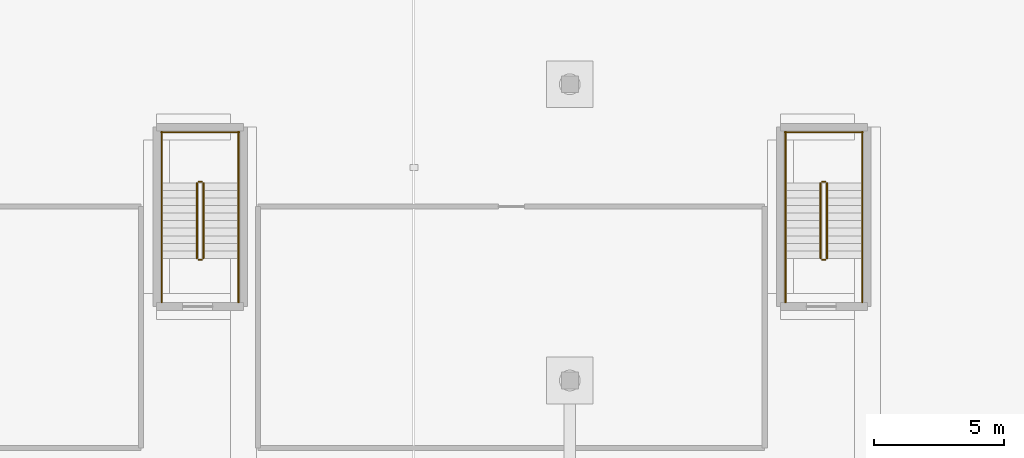
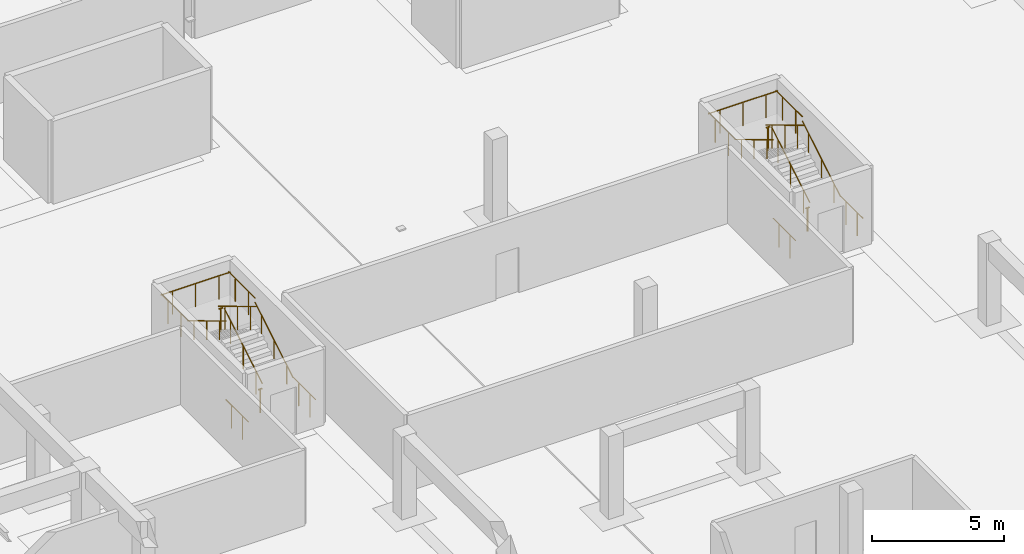
# One storey, part 34 of 35: 22 railings.
"""IFC4 building model written with IfcOpenShell, lengths in metres."""

from ifc_helpers import new_model, si_unit, direction, frame, origin, origin_2d, place, context, subcontext, project, spatial, circle, extrude, material, type_object, element, save


model = new_model("IFC4")

# Units and contexts
model_context = context("Model", 3, precision=1e-05, world=origin(), true_north=direction((0.0, 1.0)))
body_context = subcontext(model_context, "Body", "Model", "MODEL_VIEW")
ifc_project = project(units=[si_unit("LENGTHUNIT", "METRE"), si_unit("AREAUNIT", "SQUARE_METRE"), si_unit("VOLUMEUNIT", "CUBIC_METRE"), si_unit("PLANEANGLEUNIT", "RADIAN"), si_unit("MASSUNIT", "GRAM", prefix="KILO")], contexts=[model_context])

# Site, building, storey
site_placement = place(None, origin())
site = spatial("IfcSite", under=ifc_project, at=site_placement, CompositionType="ELEMENT")
building_placement = place(site_placement, origin())
building = spatial("IfcBuilding", under=site, at=building_placement, Name="Keldmere Railside Commons", CompositionType="ELEMENT")
storey_placement = place(building_placement, frame((0.0, 0.0, -3.840087890625)))
storey = spatial("IfcBuildingStorey", under=building, at=storey_placement, Name="B1", CompositionType="ELEMENT", Elevation=-3.840087890625)

# Railings
ifc_material = material(Name="Steel F-24 (S235)", Category="steel")
railing_type_1 = type_object("IfcRailingType", Name="Stair Well Steel Guardrail 1100", PredefinedType="BALUSTRADE", material=ifc_material)
railing_1_placement = place(storey_placement, frame((129.89990234375, 84.5, 0.174560546875)))
element("IfcRailing", 1, at=railing_1_placement, inside=storey, type_object=railing_type_1, Name="B1 ST-B5 stair guard 1", PredefinedType="BALUSTRADE", context=body_context, shape_type="SweptSolid", body=[
    extrude(circle(Radius=0.02392578125, at=origin_2d()), frame((0.0, 0.0, 1.076171875), z_axis=(0.0, 0.856753776629, 0.515725669549), x_axis=(-1.0, 0.0, 0.0)), (0.0, 0.0, 1.0), 3.384765625),
    extrude(circle(Radius=0.02099609375, at=origin_2d()), frame((0.0, 0.4833984375, 0.291015625)), (0.0, 0.0, 1.0), 1.048095703125),
    extrude(circle(Radius=0.02099609375, at=origin_2d()), frame((0.0, 1.449951171875, 0.872802734375)), (0.0, 0.0, 1.0), 1.048095703125),
    extrude(circle(Radius=0.02099609375, at=origin_2d()), frame((0.0, 2.41650390625, 1.45458984375)), (0.0, 0.0, 1.0), 1.048095703125),
])
railing_2_placement = place(storey_placement, frame((129.85009765625, 87.449951171875, 1.920166015625)))
element("IfcRailing", 2, at=railing_2_placement, inside=storey, type_object=railing_type_1, Name="B1 ST-B5 stair guard 2", PredefinedType="BALUSTRADE", context=body_context, shape_type="SweptSolid", body=[
    extrude(circle(Radius=0.02392578125, at=origin_2d()), frame((0.0, 0.0, 1.076171875), z_axis=(-1.0, 0.0, 0.0), x_axis=(0.0, -1.0, 0.0)), (0.0, 0.0, 1.0), 0.150146484375),
    extrude(circle(Radius=0.02099609375, at=origin_2d()), frame((-0.0751953125, 0.0, 0.0)), (0.0, 0.0, 1.0), 1.048095703125),
])
for number, where, name in (
    (3, (131.25, 87.39990234375, 1.920166015625), "B1 ST-B5 stair guard 3"),
    (4, (128.300048828125, 87.39990234375, 1.920166015625), "B1 ST-B5 stair guard 4"),
):
    element("IfcRailing", number, at=place(storey_placement, frame(where)), inside=storey, type_object=railing_type_1, Name=name, PredefinedType="BALUSTRADE", context=body_context, shape_type="SweptSolid", body=[
        extrude(circle(Radius=0.02392578125, at=origin_2d()), frame((0.0, 0.0, 1.076171875), z_axis=(0.0, 1.0, 0.0), x_axis=(-1.0, 0.0, 0.0)), (0.0, 0.0, 1.0), 2.0),
        extrude(circle(Radius=0.02099609375, at=origin_2d()), frame((0.0, 0.5, 0.0)), (0.0, 0.0, 1.0), 1.048095703125),
        extrude(circle(Radius=0.02099609375, at=origin_2d()), frame((0.0, 1.5, 0.0)), (0.0, 0.0, 1.0), 1.048095703125),
    ])
railing_3_placement = place(storey_placement, frame((131.300048828125, 89.35009765625, 1.920166015625)))
element("IfcRailing", 5, at=railing_3_placement, inside=storey, type_object=railing_type_1, Name="B1 ST-B5 stair guard 5", PredefinedType="BALUSTRADE", context=body_context, shape_type="SweptSolid", body=[
    extrude(circle(Radius=0.02392578125, at=origin_2d()), frame((0.0, 0.0, 1.076171875), z_axis=(-1.0, 0.0, 0.0), x_axis=(0.0, -1.0, 0.0)), (0.0, 0.0, 1.0), 3.050048828125),
    extrude(circle(Radius=0.02099609375, at=origin_2d()), frame((-0.50830078125, 0.0, 0.0)), (0.0, 0.0, 1.0), 1.048095703125),
    extrude(circle(Radius=0.02099609375, at=origin_2d()), frame((-1.52490234375, 0.0, 0.0)), (0.0, 0.0, 1.0), 1.048095703125),
    extrude(circle(Radius=0.02099609375, at=origin_2d()), frame((-2.541748046875, 0.0, 0.0)), (0.0, 0.0, 1.0), 1.048095703125),
])
railing_4_placement = place(storey_placement, frame((129.64990234375, 87.39990234375, 2.0947265625)))
element("IfcRailing", 6, at=railing_4_placement, inside=storey, type_object=railing_type_1, Name="B1 ST-B5 stair guard 6", PredefinedType="BALUSTRADE", context=body_context, shape_type="SweptSolid", body=[
    extrude(circle(Radius=0.02392578125, at=origin_2d()), frame((0.0, 0.0, 1.076171875), z_axis=(0.0, -0.856785646576, 0.515672721618), x_axis=(1.0, 0.0, 0.0)), (0.0, 0.0, 1.0), 3.384521484375),
    extrude(circle(Radius=0.02099609375, at=origin_2d()), frame((0.0, -0.4833984375, 0.291015625)), (0.0, 0.0, 1.0), 1.048095703125),
    extrude(circle(Radius=0.02099609375, at=origin_2d()), frame((0.0, -1.449951171875, 0.87255859375)), (0.0, 0.0, 1.0), 1.048095703125),
    extrude(circle(Radius=0.02099609375, at=origin_2d()), frame((0.0, -2.41650390625, 1.45458984375)), (0.0, 0.0, 1.0), 1.048095703125),
])
railing_5_placement = place(storey_placement, frame((129.85009765625, 84.449951171875, 0.0)))
element("IfcRailing", 7, at=railing_5_placement, inside=storey, type_object=railing_type_1, Name="B1 ST-B5 stair guard 7", PredefinedType="BALUSTRADE", context=body_context, shape_type="SweptSolid", body=[
    extrude(circle(Radius=0.02392578125, at=origin_2d()), frame((0.0, 0.0, 1.076171875), z_axis=(-1.0, 0.0, 0.0), x_axis=(0.0, -1.0, 0.0)), (0.0, 0.0, 1.0), 0.150146484375),
    extrude(circle(Radius=0.02099609375, at=origin_2d()), frame((-0.0751953125, 0.0, 0.0)), (0.0, 0.0, 1.0), 1.048095703125),
])
for number, where, name in (
    (8, (131.25, 82.800048828125, 0.0), "B1 ST-B5 stair guard 8"),
    (9, (128.300048828125, 82.800048828125, 0.0), "B1 ST-B5 stair guard 9"),
):
    element("IfcRailing", number, at=place(storey_placement, frame(where)), inside=storey, type_object=railing_type_1, Name=name, PredefinedType="BALUSTRADE", context=body_context, shape_type="SweptSolid", body=[
        extrude(circle(Radius=0.02392578125, at=origin_2d()), frame((0.0, 0.0, 1.076171875), z_axis=(0.0, 1.0, 0.0), x_axis=(-1.0, 0.0, 0.0)), (0.0, 0.0, 1.0), 1.699951171875),
        extrude(circle(Radius=0.02099609375, at=origin_2d()), frame((0.0, 0.425048828125, 0.0)), (0.0, 0.0, 1.0), 1.048095703125),
        extrude(circle(Radius=0.02099609375, at=origin_2d()), frame((0.0, 1.27490234375, 0.0)), (0.0, 0.0, 1.0), 1.048095703125),
    ])
railing_6_placement = place(storey_placement, frame((153.89990234375, 84.5, 0.174560546875)))
element("IfcRailing", 10, at=railing_6_placement, inside=storey, type_object=railing_type_1, Name="B1 ST-B6 stair guard 1", PredefinedType="BALUSTRADE", context=body_context, shape_type="SweptSolid", body=[
    extrude(circle(Radius=0.02392578125, at=origin_2d()), frame((0.0, 0.0, 1.076171875), z_axis=(0.0, 0.856753776629, 0.515725669549), x_axis=(-1.0, 0.0, 0.0)), (0.0, 0.0, 1.0), 3.384765625),
    extrude(circle(Radius=0.02099609375, at=origin_2d()), frame((0.0, 0.4833984375, 0.291015625)), (0.0, 0.0, 1.0), 1.048095703125),
    extrude(circle(Radius=0.02099609375, at=origin_2d()), frame((0.0, 1.449951171875, 0.872802734375)), (0.0, 0.0, 1.0), 1.048095703125),
    extrude(circle(Radius=0.02099609375, at=origin_2d()), frame((0.0, 2.41650390625, 1.45458984375)), (0.0, 0.0, 1.0), 1.048095703125),
])
railing_7_placement = place(storey_placement, frame((153.85009765625, 87.449951171875, 1.920166015625)))
element("IfcRailing", 11, at=railing_7_placement, inside=storey, type_object=railing_type_1, Name="B1 ST-B6 stair guard 2", PredefinedType="BALUSTRADE", context=body_context, shape_type="SweptSolid", body=[
    extrude(circle(Radius=0.02392578125, at=origin_2d()), frame((0.0, 0.0, 1.076171875), z_axis=(-1.0, 0.0, 0.0), x_axis=(0.0, -1.0, 0.0)), (0.0, 0.0, 1.0), 0.150146484375),
    extrude(circle(Radius=0.02099609375, at=origin_2d()), frame((-0.0751953125, 0.0, 0.0)), (0.0, 0.0, 1.0), 1.048095703125),
])
for number, where, name in (
    (12, (155.25, 87.39990234375, 1.920166015625), "B1 ST-B6 stair guard 3"),
    (13, (152.300048828125, 87.39990234375, 1.920166015625), "B1 ST-B6 stair guard 4"),
):
    element("IfcRailing", number, at=place(storey_placement, frame(where)), inside=storey, type_object=railing_type_1, Name=name, PredefinedType="BALUSTRADE", context=body_context, shape_type="SweptSolid", body=[
        extrude(circle(Radius=0.02392578125, at=origin_2d()), frame((0.0, 0.0, 1.076171875), z_axis=(0.0, 1.0, 0.0), x_axis=(-1.0, 0.0, 0.0)), (0.0, 0.0, 1.0), 2.0),
        extrude(circle(Radius=0.02099609375, at=origin_2d()), frame((0.0, 0.5, 0.0)), (0.0, 0.0, 1.0), 1.048095703125),
        extrude(circle(Radius=0.02099609375, at=origin_2d()), frame((0.0, 1.5, 0.0)), (0.0, 0.0, 1.0), 1.048095703125),
    ])
railing_8_placement = place(storey_placement, frame((155.300048828125, 89.35009765625, 1.920166015625)))
element("IfcRailing", 14, at=railing_8_placement, inside=storey, type_object=railing_type_1, Name="B1 ST-B6 stair guard 5", PredefinedType="BALUSTRADE", context=body_context, shape_type="SweptSolid", body=[
    extrude(circle(Radius=0.02392578125, at=origin_2d()), frame((0.0, 0.0, 1.076171875), z_axis=(-1.0, 0.0, 0.0), x_axis=(0.0, -1.0, 0.0)), (0.0, 0.0, 1.0), 3.050048828125),
    extrude(circle(Radius=0.02099609375, at=origin_2d()), frame((-0.50830078125, 0.0, 0.0)), (0.0, 0.0, 1.0), 1.048095703125),
    extrude(circle(Radius=0.02099609375, at=origin_2d()), frame((-1.52490234375, 0.0, 0.0)), (0.0, 0.0, 1.0), 1.048095703125),
    extrude(circle(Radius=0.02099609375, at=origin_2d()), frame((-2.541748046875, 0.0, 0.0)), (0.0, 0.0, 1.0), 1.048095703125),
])
railing_9_placement = place(storey_placement, frame((153.64990234375, 87.39990234375, 2.0947265625)))
element("IfcRailing", 15, at=railing_9_placement, inside=storey, type_object=railing_type_1, Name="B1 ST-B6 stair guard 6", PredefinedType="BALUSTRADE", context=body_context, shape_type="SweptSolid", body=[
    extrude(circle(Radius=0.02392578125, at=origin_2d()), frame((0.0, 0.0, 1.076171875), z_axis=(0.0, -0.856785646576, 0.515672721618), x_axis=(1.0, 0.0, 0.0)), (0.0, 0.0, 1.0), 3.384521484375),
    extrude(circle(Radius=0.02099609375, at=origin_2d()), frame((0.0, -0.4833984375, 0.291015625)), (0.0, 0.0, 1.0), 1.048095703125),
    extrude(circle(Radius=0.02099609375, at=origin_2d()), frame((0.0, -1.449951171875, 0.87255859375)), (0.0, 0.0, 1.0), 1.048095703125),
    extrude(circle(Radius=0.02099609375, at=origin_2d()), frame((0.0, -2.41650390625, 1.45458984375)), (0.0, 0.0, 1.0), 1.048095703125),
])
railing_10_placement = place(storey_placement, frame((153.85009765625, 84.449951171875, 0.0)))
element("IfcRailing", 16, at=railing_10_placement, inside=storey, type_object=railing_type_1, Name="B1 ST-B6 stair guard 7", PredefinedType="BALUSTRADE", context=body_context, shape_type="SweptSolid", body=[
    extrude(circle(Radius=0.02392578125, at=origin_2d()), frame((0.0, 0.0, 1.076171875), z_axis=(-1.0, 0.0, 0.0), x_axis=(0.0, -1.0, 0.0)), (0.0, 0.0, 1.0), 0.150146484375),
    extrude(circle(Radius=0.02099609375, at=origin_2d()), frame((-0.0751953125, 0.0, 0.0)), (0.0, 0.0, 1.0), 1.048095703125),
])
for number, where, name in (
    (17, (155.25, 82.800048828125, 0.0), "B1 ST-B6 stair guard 8"),
    (18, (152.300048828125, 82.800048828125, 0.0), "B1 ST-B6 stair guard 9"),
):
    element("IfcRailing", number, at=place(storey_placement, frame(where)), inside=storey, type_object=railing_type_1, Name=name, PredefinedType="BALUSTRADE", context=body_context, shape_type="SweptSolid", body=[
        extrude(circle(Radius=0.02392578125, at=origin_2d()), frame((0.0, 0.0, 1.076171875), z_axis=(0.0, 1.0, 0.0), x_axis=(-1.0, 0.0, 0.0)), (0.0, 0.0, 1.0), 1.699951171875),
        extrude(circle(Radius=0.02099609375, at=origin_2d()), frame((0.0, 0.425048828125, 0.0)), (0.0, 0.0, 1.0), 1.048095703125),
        extrude(circle(Radius=0.02099609375, at=origin_2d()), frame((0.0, 1.27490234375, 0.0)), (0.0, 0.0, 1.0), 1.048095703125),
    ])
railing_type_2 = type_object("IfcRailingType", Name="Wall-Mounted Tubular Steel Handrail 900", PredefinedType="HANDRAIL", material=ifc_material)
railing_11_placement = place(storey_placement, frame((131.25, 84.5, 0.174560546875)))
element("IfcRailing", 19, at=railing_11_placement, inside=storey, type_object=railing_type_2, Name="B1 ST-B5 stair handrail 1", PredefinedType="HANDRAIL", context=body_context, shape_type="SweptSolid", body=[
    extrude(circle(Radius=0.02392578125, at=origin_2d()), frame((0.0, 0.0, 0.8759765625), z_axis=(0.0, 0.856753776629, 0.515725669549), x_axis=(-1.0, 0.0, 0.0)), (0.0, 0.0, 1.0), 3.384765625),
    extrude(circle(Radius=0.02099609375, at=origin_2d()), frame((0.0, 0.4833984375, 0.291015625)), (0.0, 0.0, 1.0), 0.847900390625),
    extrude(circle(Radius=0.02099609375, at=origin_2d()), frame((0.0, 1.449951171875, 0.872802734375)), (0.0, 0.0, 1.0), 0.847900390625),
    extrude(circle(Radius=0.02099609375, at=origin_2d()), frame((0.0, 2.41650390625, 1.45458984375)), (0.0, 0.0, 1.0), 0.847900390625),
])
railing_12_placement = place(storey_placement, frame((128.300048828125, 87.39990234375, 2.0947265625)))
element("IfcRailing", 20, at=railing_12_placement, inside=storey, type_object=railing_type_2, Name="B1 ST-B5 stair handrail 2", PredefinedType="HANDRAIL", context=body_context, shape_type="SweptSolid", body=[
    extrude(circle(Radius=0.02392578125, at=origin_2d()), frame((0.0, 0.0, 0.8759765625), z_axis=(0.0, -0.856785646576, 0.515672721618), x_axis=(1.0, 0.0, 0.0)), (0.0, 0.0, 1.0), 3.384521484375),
    extrude(circle(Radius=0.02099609375, at=origin_2d()), frame((0.0, -0.4833984375, 0.291015625)), (0.0, 0.0, 1.0), 0.847900390625),
    extrude(circle(Radius=0.02099609375, at=origin_2d()), frame((0.0, -1.449951171875, 0.87255859375)), (0.0, 0.0, 1.0), 0.847900390625),
    extrude(circle(Radius=0.02099609375, at=origin_2d()), frame((0.0, -2.41650390625, 1.45458984375)), (0.0, 0.0, 1.0), 0.847900390625),
])
railing_13_placement = place(storey_placement, frame((155.25, 84.5, 0.174560546875)))
element("IfcRailing", 21, at=railing_13_placement, inside=storey, type_object=railing_type_2, Name="B1 ST-B6 stair handrail 1", PredefinedType="HANDRAIL", context=body_context, shape_type="SweptSolid", body=[
    extrude(circle(Radius=0.02392578125, at=origin_2d()), frame((0.0, 0.0, 0.8759765625), z_axis=(0.0, 0.856753776629, 0.515725669549), x_axis=(-1.0, 0.0, 0.0)), (0.0, 0.0, 1.0), 3.384765625),
    extrude(circle(Radius=0.02099609375, at=origin_2d()), frame((0.0, 0.4833984375, 0.291015625)), (0.0, 0.0, 1.0), 0.847900390625),
    extrude(circle(Radius=0.02099609375, at=origin_2d()), frame((0.0, 1.449951171875, 0.872802734375)), (0.0, 0.0, 1.0), 0.847900390625),
    extrude(circle(Radius=0.02099609375, at=origin_2d()), frame((0.0, 2.41650390625, 1.45458984375)), (0.0, 0.0, 1.0), 0.847900390625),
])
railing_14_placement = place(storey_placement, frame((152.300048828125, 87.39990234375, 2.0947265625)))
element("IfcRailing", 22, at=railing_14_placement, inside=storey, type_object=railing_type_2, Name="B1 ST-B6 stair handrail 2", PredefinedType="HANDRAIL", context=body_context, shape_type="SweptSolid", body=[
    extrude(circle(Radius=0.02392578125, at=origin_2d()), frame((0.0, 0.0, 0.8759765625), z_axis=(0.0, -0.856785646576, 0.515672721618), x_axis=(1.0, 0.0, 0.0)), (0.0, 0.0, 1.0), 3.384521484375),
    extrude(circle(Radius=0.02099609375, at=origin_2d()), frame((0.0, -0.4833984375, 0.291015625)), (0.0, 0.0, 1.0), 0.847900390625),
    extrude(circle(Radius=0.02099609375, at=origin_2d()), frame((0.0, -1.449951171875, 0.87255859375)), (0.0, 0.0, 1.0), 0.847900390625),
    extrude(circle(Radius=0.02099609375, at=origin_2d()), frame((0.0, -2.41650390625, 1.45458984375)), (0.0, 0.0, 1.0), 0.847900390625),
])

save(model, "model.ifc")
